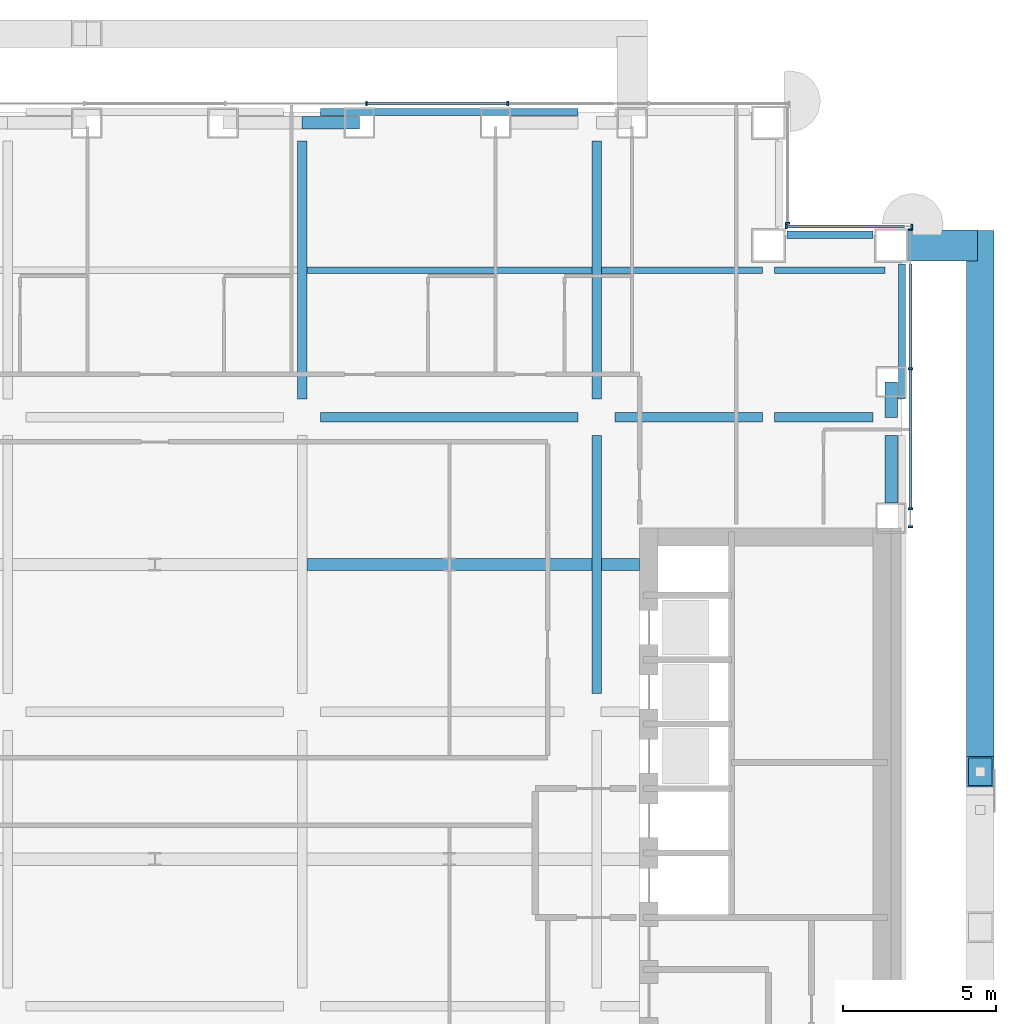
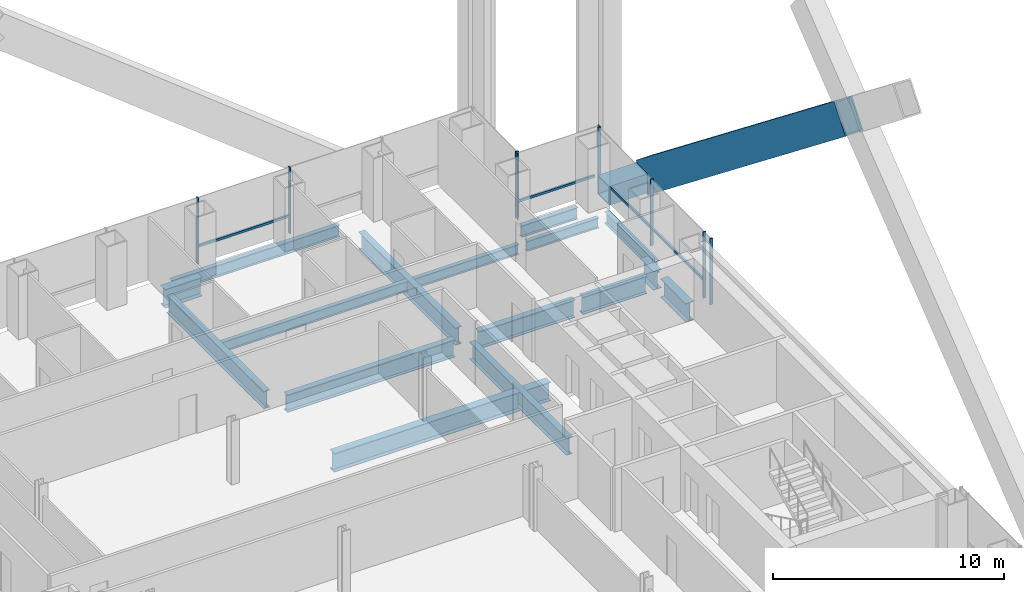
# One storey, part 11 of 28: 18 beams, 14 members, 4 elements without a shape of their own.
"""IFC4 building model written with IfcOpenShell, lengths in metres."""

from ifc_helpers import new_model, si_unit, direction, frame, origin, origin_2d, place, context, subcontext, project, spatial, rectangle, hollow_rectangle, i_section, extrude, material, material_profile, profile_set, type_object, element, aggregate, save


model = new_model("IFC4")

# Units and contexts
model_context = context("Model", 3, precision=1e-05, world=origin(), true_north=direction((0.0, 1.0)))
body_context = subcontext(model_context, "Body", "Model", "MODEL_VIEW")
ifc_project = project(units=[si_unit("LENGTHUNIT", "METRE"), si_unit("AREAUNIT", "SQUARE_METRE"), si_unit("VOLUMEUNIT", "CUBIC_METRE"), si_unit("PLANEANGLEUNIT", "RADIAN"), si_unit("MASSUNIT", "GRAM", prefix="KILO")], contexts=[model_context])

# Site, building, storey
site_placement = place(None, origin())
site = spatial("IfcSite", under=ifc_project, at=site_placement, CompositionType="ELEMENT")
building_placement = place(site_placement, origin())
building = spatial("IfcBuilding", under=site, at=building_placement, Name="Cobrizo Arcos Hotel Tower", CompositionType="ELEMENT")
storey_placement = place(building_placement, frame((0.0, 0.0, 39.0)))
storey = spatial("IfcBuildingStorey", under=building, at=storey_placement, Name="L07", CompositionType="ELEMENT", Elevation=39.0)

# Beam
ifc_material_1 = material(Name="Steel ASTM A572 Grade 50", Category="steel")
ifc_material_profile_1 = material_profile(ifc_material_1, hollow_rectangle(XDim=1.0, YDim=1.0, WallThickness=0.06005859375, at=origin_2d()), Name="BOX 1000X1000X60")
ifc_profile_set_1 = profile_set([ifc_material_profile_1], Name="Steel ASTM A572 Grade 50")
beam_type_1 = type_object("IfcBeamType", Name="BOX 1000X1000X60 brace connector strut", PredefinedType="BEAM", material=ifc_profile_set_1)
beam_1_placement = place(storey_placement, frame((24.5400390625, 20.0, 0.5), z_axis=(1.0, 0.0, 0.0), x_axis=(0.0, 1.0, 0.0)))
element("IfcBeam", 1, at=beam_1_placement, inside=storey, type_object=beam_type_1, Name="Perimeter brace stub BS1, zone Z1, east face, offset +20.00 m, L07", PredefinedType="BEAM", context=body_context, shape_type="SweptSolid", body=[
    extrude(hollow_rectangle(XDim=1.0, YDim=1.0, WallThickness=0.06005859375, at=origin_2d()), origin(), (0.0, 0.0, 1.0), 2.280029296875),
])

# Member
ifc_material_profile_2 = material_profile(ifc_material_1, hollow_rectangle(XDim=0.89990234375, YDim=1.60009765625, WallThickness=0.070068359375, at=origin_2d()), Name="BOX 900X1600X70")
ifc_profile_set_2 = profile_set([ifc_material_profile_2], Name="Steel ASTM A572 Grade 50")
member_type_1 = type_object("IfcMemberType", Name="BOX 900X1600X70 perimeter brace", PredefinedType="BRACE", material=ifc_profile_set_2)
member_1_placement = place(storey_placement, frame((26.89990234375, 20.0, 0.5), z_axis=(0.0, -0.785633461499, 0.618692220876), x_axis=(1.0, 0.0, 0.0)))
element("IfcMember", 2, at=member_1_placement, inside=storey, type_object=member_type_1, Name="Perimeter brace PBR1, zone Z1, east face, no. 01", PredefinedType="BRACE", context=body_context, shape_type="SweptSolid", body=[
    extrude(hollow_rectangle(XDim=0.89990234375, YDim=1.60009765625, WallThickness=0.070068359375, at=origin_2d()), origin(), (0.0, 0.0, 1.0), 21.835693359375),
])

# Curtain wall, members
ifc_material_2 = material(Name="Aluminium 6063-T6 anodised bronze", Category="aluminium")
curtain_wall_type = type_object("IfcCurtainWallType", Name="CW-A guest facade", PredefinedType="NOTDEFINED", material=ifc_material_2)
curtain_wall_1_placement = place(storey_placement, origin())
curtain_wall_1 = element("IfcCurtainWall", 3, at=curtain_wall_1_placement, inside=storey, type_object=curtain_wall_type, Name="CW-A L07 E face", PredefinedType="NOTDEFINED")
ifc_material_profile_3 = material_profile(ifc_material_2, rectangle(XDim=0.14990234375, YDim=0.06005859375, at=origin_2d()), Name="CW-A mullion 150x60")
ifc_profile_set_3 = profile_set([ifc_material_profile_3], Name="Aluminium 6063-T6 anodised bronze")
member_type_2 = type_object("IfcMemberType", Name="CW-A mullion 150x60", PredefinedType="MULLION", material=ifc_profile_set_3)
member_2_placement = place(storey_placement, frame((24.625, 10.830078125, 0.0), z_axis=(0.0, 0.0, 1.0), x_axis=(1.0, 0.0, 0.0)))
member_2 = element("IfcMember", 4, at=member_2_placement, type_object=member_type_2, Name="CW-A mullion 1", PredefinedType="MULLION", context=body_context, shape_type="SweptSolid", body=[
    extrude(rectangle(XDim=0.14990234375, YDim=0.06005859375, at=origin_2d()), origin(), (0.0, 0.0, 1.0), 3.5),
])
member_3_placement = place(storey_placement, frame((24.625, 11.416748046875, 0.0), z_axis=(0.0, 0.0, 1.0), x_axis=(1.0, 0.0, 0.0)))
member_3 = element("IfcMember", 5, at=member_3_placement, type_object=member_type_2, Name="CW-A mullion 2", PredefinedType="MULLION", context=body_context, shape_type="SweptSolid", body=[
    extrude(rectangle(XDim=0.14990234375, YDim=0.06005859375, at=origin_2d()), origin(), (0.0, 0.0, 1.0), 3.5),
])
member_4_placement = place(storey_placement, frame((24.625, 15.9833984375, 0.0), z_axis=(0.0, 0.0, 1.0), x_axis=(1.0, 0.0, 0.0)))
member_4 = element("IfcMember", 6, at=member_4_placement, type_object=member_type_2, Name="CW-A mullion 3", PredefinedType="MULLION", context=body_context, shape_type="SweptSolid", body=[
    extrude(rectangle(XDim=0.14990234375, YDim=0.06005859375, at=origin_2d()), origin(), (0.0, 0.0, 1.0), 3.5),
])
member_5_placement = place(storey_placement, frame((24.625, 20.52001953125, 0.0), z_axis=(0.0, 0.0, 1.0), x_axis=(1.0, 0.0, 0.0)))
member_5 = element("IfcMember", 7, at=member_5_placement, type_object=member_type_2, Name="CW-A mullion 4", PredefinedType="MULLION", context=body_context, shape_type="SweptSolid", body=[
    extrude(rectangle(XDim=0.14990234375, YDim=0.06005859375, at=origin_2d()), origin(), (0.0, 0.0, 1.0), 3.5),
])

curtain_wall_2_placement = place(storey_placement, origin())
curtain_wall_2 = element("IfcCurtainWall", 8, at=curtain_wall_2_placement, inside=storey, type_object=curtain_wall_type, Name="CW-A L07 N face", PredefinedType="NOTDEFINED")
member_6_placement = place(storey_placement, frame((24.669921875, 20.625, 0.0), z_axis=(0.0, 0.0, 1.0), x_axis=(0.0, 1.0, 0.0)))
member_6 = element("IfcMember", 9, at=member_6_placement, type_object=member_type_2, Name="CW-A mullion 1", PredefinedType="MULLION", context=body_context, shape_type="SweptSolid", body=[
    extrude(rectangle(XDim=0.14990234375, YDim=0.06005859375, at=origin_2d()), origin(), (0.0, 0.0, 1.0), 3.5),
])
member_7_placement = place(storey_placement, frame((20.580078125, 20.625, 0.0), z_axis=(0.0, 0.0, 1.0), x_axis=(0.0, 1.0, 0.0)))
member_7 = element("IfcMember", 10, at=member_7_placement, type_object=member_type_2, Name="CW-A mullion 2", PredefinedType="MULLION", context=body_context, shape_type="SweptSolid", body=[
    extrude(rectangle(XDim=0.14990234375, YDim=0.06005859375, at=origin_2d()), origin(), (0.0, 0.0, 1.0), 3.5),
])

# Curtain wall, member
curtain_wall_3_placement = place(storey_placement, origin())
curtain_wall_3 = element("IfcCurtainWall", 11, at=curtain_wall_3_placement, inside=storey, type_object=curtain_wall_type, Name="CW-A L07 E face", PredefinedType="NOTDEFINED")
member_8_placement = place(storey_placement, frame((20.625, 20.72998046875, 0.0), z_axis=(0.0, 0.0, 1.0), x_axis=(1.0, 0.0, 0.0)))
member_8 = element("IfcMember", 12, at=member_8_placement, type_object=member_type_2, Name="CW-A mullion 1", PredefinedType="MULLION", context=body_context, shape_type="SweptSolid", body=[
    extrude(rectangle(XDim=0.14990234375, YDim=0.06005859375, at=origin_2d()), origin(), (0.0, 0.0, 1.0), 3.5),
])
aggregate(curtain_wall_3, [member_8])

# Curtain wall, members
curtain_wall_4_placement = place(storey_placement, origin())
curtain_wall_4 = element("IfcCurtainWall", 13, at=curtain_wall_4_placement, inside=storey, type_object=curtain_wall_type, Name="CW-A L07 N face", PredefinedType="NOTDEFINED")
member_9_placement = place(storey_placement, frame((11.5, 24.625, 0.0), z_axis=(0.0, 0.0, 1.0), x_axis=(0.0, 1.0, 0.0)))
member_9 = element("IfcMember", 14, at=member_9_placement, type_object=member_type_2, Name="CW-A mullion 3", PredefinedType="MULLION", context=body_context, shape_type="SweptSolid", body=[
    extrude(rectangle(XDim=0.14990234375, YDim=0.06005859375, at=origin_2d()), origin(), (0.0, 0.0, 1.0), 3.5),
])
member_10_placement = place(storey_placement, frame((6.89990234375, 24.625, 0.0), z_axis=(0.0, 0.0, 1.0), x_axis=(0.0, 1.0, 0.0)))
member_10 = element("IfcMember", 15, at=member_10_placement, type_object=member_type_2, Name="CW-A mullion 4", PredefinedType="MULLION", context=body_context, shape_type="SweptSolid", body=[
    extrude(rectangle(XDim=0.14990234375, YDim=0.06005859375, at=origin_2d()), origin(), (0.0, 0.0, 1.0), 3.5),
])

# Member
ifc_material_profile_4 = material_profile(ifc_material_2, rectangle(XDim=0.10009765625, YDim=0.1201171875, at=origin_2d()), Name="CW-A transom 120x100")
ifc_profile_set_4 = profile_set([ifc_material_profile_4], Name="Aluminium 6063-T6 anodised bronze")
member_type_3 = type_object("IfcMemberType", Name="CW-A transom 120x100", PredefinedType="USERDEFINED", material=ifc_profile_set_4)
member_11_placement = place(storey_placement, frame((24.625, 11.44677734375, 0.929931640625), z_axis=(0.0, 1.0, 0.0), x_axis=(-1.0, 0.0, 0.0)))
member_11 = element("IfcMember", 16, at=member_11_placement, type_object=member_type_3, Name="CW-A transom 376", ObjectType="TRANSOM", PredefinedType="USERDEFINED", context=body_context, shape_type="SweptSolid", body=[
    extrude(rectangle(XDim=0.10009765625, YDim=0.1201171875, at=origin_2d()), origin(), (0.0, 0.0, 1.0), 4.506591796875),
])

member_12_placement = place(storey_placement, frame((24.625, 16.013427734375, 0.929931640625), z_axis=(0.0, 1.0, 0.0), x_axis=(-1.0, 0.0, 0.0)))
member_12 = element("IfcMember", 17, at=member_12_placement, type_object=member_type_3, Name="CW-A transom 377", ObjectType="TRANSOM", PredefinedType="USERDEFINED", context=body_context, shape_type="SweptSolid", body=[
    extrude(rectangle(XDim=0.10009765625, YDim=0.1201171875, at=origin_2d()), origin(), (0.0, 0.0, 1.0), 3.386474609375),
])

aggregate(curtain_wall_1, [member_2, member_3, member_4, member_5, member_11, member_12])

member_13_placement = place(storey_placement, frame((24.43994140625, 20.625, 0.929931640625), z_axis=(-1.0, 0.0, 0.0), x_axis=(0.0, -1.0, 0.0)))
member_13 = element("IfcMember", 18, at=member_13_placement, type_object=member_type_3, Name="CW-A transom 378", ObjectType="TRANSOM", PredefinedType="USERDEFINED", context=body_context, shape_type="SweptSolid", body=[
    extrude(rectangle(XDim=0.10009765625, YDim=0.1201171875, at=origin_2d()), origin(), (0.0, 0.0, 1.0), 3.829833984375),
])

aggregate(curtain_wall_2, [member_6, member_7, member_13])

member_14_placement = place(storey_placement, frame((11.469970703125, 24.625, 0.929931640625), z_axis=(-1.0, 0.0, 0.0), x_axis=(0.0, -1.0, 0.0)))
member_14 = element("IfcMember", 19, at=member_14_placement, type_object=member_type_3, Name="CW-A transom 382", ObjectType="TRANSOM", PredefinedType="USERDEFINED", context=body_context, shape_type="SweptSolid", body=[
    extrude(rectangle(XDim=0.10009765625, YDim=0.1201171875, at=origin_2d()), origin(), (0.0, 0.0, 1.0), 4.5400390625),
])

aggregate(curtain_wall_4, [member_9, member_10, member_14])

# Beams
ifc_material_3 = material(Name="Steel ASTM A992 Grade 50", Category="steel")
ifc_material_profile_5 = material_profile(ifc_material_3, i_section(OverallWidth=0.209228515625, OverallDepth=0.533447265625, WebThickness=0.01025390625, FlangeThickness=0.015625, at=origin_2d()), Name="W21X62")
ifc_profile_set_5 = profile_set([ifc_material_profile_5], Name="Steel ASTM A992 Grade 50")
beam_type_2 = type_object("IfcBeamType", Name="W21X62 joist", PredefinedType="JOIST", material=ifc_profile_set_5)
beam_2_placement = place(storey_placement, frame((4.95361328125, 19.199951171875, -0.416748046875), z_axis=(1.0, 0.0, 0.0), x_axis=(0.0, 1.0, 0.0)))
element("IfcBeam", 20, at=beam_2_placement, inside=storey, type_object=beam_type_2, Name="Floor joist J1, L07, no. 012", PredefinedType="JOIST", context=body_context, shape_type="SweptSolid", body=[
    extrude(i_section(OverallWidth=0.209228515625, OverallDepth=0.533447265625, WebThickness=0.01025390625, FlangeThickness=0.015625, at=origin_2d()), origin(), (0.0, 0.0, 1.0), 9.292724609375),
])
beam_3_placement = place(storey_placement, frame((14.5537109375, 19.199951171875, -0.416748046875), z_axis=(1.0, 0.0, 0.0), x_axis=(0.0, 1.0, 0.0)))
element("IfcBeam", 21, at=beam_3_placement, inside=storey, type_object=beam_type_2, Name="Floor joist J1, L07, no. 013", PredefinedType="JOIST", context=body_context, shape_type="SweptSolid", body=[
    extrude(i_section(OverallWidth=0.209228515625, OverallDepth=0.533447265625, WebThickness=0.01025390625, FlangeThickness=0.015625, at=origin_2d()), origin(), (0.0, 0.0, 1.0), 5.245849609375),
])
beam_4_placement = place(storey_placement, frame((20.200439453125, 19.199951171875, -0.416748046875), z_axis=(1.0, 0.0, 0.0), x_axis=(0.0, 1.0, 0.0)))
element("IfcBeam", 22, at=beam_4_placement, inside=storey, type_object=beam_type_2, Name="Floor joist J1, L07, no. 014", PredefinedType="JOIST", context=body_context, shape_type="SweptSolid", body=[
    extrude(i_section(OverallWidth=0.209228515625, OverallDepth=0.533447265625, WebThickness=0.01025390625, FlangeThickness=0.015625, at=origin_2d()), origin(), (0.0, 0.0, 1.0), 3.59912109375),
])
ifc_material_profile_6 = material_profile(ifc_material_3, i_section(OverallWidth=0.23046875, OverallDepth=0.6171875, WebThickness=0.01318359375, FlangeThickness=0.022216796875, at=origin_2d()), Name="W24X94")
ifc_profile_set_6 = profile_set([ifc_material_profile_6], Name="Steel ASTM A992 Grade 50")
beam_type_3 = type_object("IfcBeamType", Name="W24X94 spandrel", PredefinedType="SPANDREL", material=ifc_profile_set_6)
beam_5_placement = place(storey_placement, frame((5.39990234375, 24.35009765625, -0.45849609375), z_axis=(1.0, 0.0, 0.0), x_axis=(0.0, 1.0, 0.0)))
element("IfcBeam", 23, at=beam_5_placement, inside=storey, type_object=beam_type_3, Name="Spandrel beam W24X94, L07, no. 009", PredefinedType="SPANDREL", context=body_context, shape_type="SweptSolid", body=[
    extrude(i_section(OverallWidth=0.23046875, OverallDepth=0.6171875, WebThickness=0.01318359375, FlangeThickness=0.022216796875, at=origin_2d()), origin(), (0.0, 0.0, 1.0), 8.400146484375),
])
beam_6_placement = place(storey_placement, frame((20.60009765625, 20.35009765625, -0.45849609375), z_axis=(1.0, 0.0, 0.0), x_axis=(0.0, 1.0, 0.0)))
element("IfcBeam", 24, at=beam_6_placement, inside=storey, type_object=beam_type_3, Name="Spandrel beam W24X94, L07, no. 012", PredefinedType="SPANDREL", context=body_context, shape_type="SweptSolid", body=[
    extrude(i_section(OverallWidth=0.23046875, OverallDepth=0.6171875, WebThickness=0.01318359375, FlangeThickness=0.022216796875, at=origin_2d()), origin(), (0.0, 0.0, 1.0), 2.7998046875),
])
beam_7_placement = place(storey_placement, frame((24.35009765625, 19.39990234375, -0.45849609375), z_axis=(0.0, -1.0, 0.0), x_axis=(1.0, 0.0, 0.0)))
element("IfcBeam", 25, at=beam_7_placement, inside=storey, type_object=beam_type_3, Name="Spandrel beam W24X94, L07, no. 013", PredefinedType="SPANDREL", context=body_context, shape_type="SweptSolid", body=[
    extrude(i_section(OverallWidth=0.23046875, OverallDepth=0.6171875, WebThickness=0.01318359375, FlangeThickness=0.022216796875, at=origin_2d()), origin(), (0.0, 0.0, 1.0), 4.39990234375),
])
ifc_material_profile_7 = material_profile(ifc_material_3, i_section(OverallWidth=0.307373046875, OverallDepth=0.927001953125, WebThickness=0.01953125, FlangeThickness=0.031982421875, at=origin_2d()), Name="W36X194")
ifc_profile_set_7 = profile_set([ifc_material_profile_7], Name="Steel ASTM A992 Grade 50")
beam_type_4 = type_object("IfcBeamType", Name="W36X194 podium girder", PredefinedType="BEAM", material=ifc_profile_set_7)
beam_8_placement = place(storey_placement, frame((5.39990234375, 14.39990234375, -0.613525390625), z_axis=(1.0, 0.0, 0.0), x_axis=(0.0, 1.0, 0.0)))
element("IfcBeam", 26, at=beam_8_placement, inside=storey, type_object=beam_type_4, Name="Podium girder PG1, L07, no. 020", PredefinedType="BEAM", context=body_context, shape_type="SweptSolid", body=[
    extrude(i_section(OverallWidth=0.307373046875, OverallDepth=0.927001953125, WebThickness=0.01953125, FlangeThickness=0.031982421875, at=origin_2d()), origin(), (0.0, 0.0, 1.0), 8.400146484375),
])
beam_9_placement = place(storey_placement, frame((15.0, 14.39990234375, -0.613525390625), z_axis=(1.0, 0.0, 0.0), x_axis=(0.0, 1.0, 0.0)))
element("IfcBeam", 27, at=beam_9_placement, inside=storey, type_object=beam_type_4, Name="Podium girder PG1, L07, no. 021", PredefinedType="BEAM", context=body_context, shape_type="SweptSolid", body=[
    extrude(i_section(OverallWidth=0.307373046875, OverallDepth=0.927001953125, WebThickness=0.01953125, FlangeThickness=0.031982421875, at=origin_2d()), origin(), (0.0, 0.0, 1.0), 4.799560546875),
])
beam_10_placement = place(storey_placement, frame((20.200439453125, 14.39990234375, -0.613525390625), z_axis=(1.0, 0.0, 0.0), x_axis=(0.0, 1.0, 0.0)))
element("IfcBeam", 28, at=beam_10_placement, inside=storey, type_object=beam_type_4, Name="Podium girder PG1, L07, no. 022", PredefinedType="BEAM", context=body_context, shape_type="SweptSolid", body=[
    extrude(i_section(OverallWidth=0.307373046875, OverallDepth=0.927001953125, WebThickness=0.01953125, FlangeThickness=0.031982421875, at=origin_2d()), origin(), (0.0, 0.0, 1.0), 3.199462890625),
])
beam_11_placement = place(storey_placement, frame((4.800048828125, 15.0, -0.613525390625), z_axis=(0.0, 1.0, 0.0), x_axis=(-1.0, 0.0, 0.0)))
element("IfcBeam", 29, at=beam_11_placement, inside=storey, type_object=beam_type_4, Name="Podium girder PG1, L07, no. 037", PredefinedType="BEAM", context=body_context, shape_type="SweptSolid", body=[
    extrude(i_section(OverallWidth=0.307373046875, OverallDepth=0.927001953125, WebThickness=0.01953125, FlangeThickness=0.031982421875, at=origin_2d()), origin(), (0.0, 0.0, 1.0), 8.39990234375),
])
beam_12_placement = place(storey_placement, frame((14.39990234375, 5.39990234375, -0.613525390625), z_axis=(0.0, 1.0, 0.0), x_axis=(-1.0, 0.0, 0.0)))
element("IfcBeam", 30, at=beam_12_placement, inside=storey, type_object=beam_type_4, Name="Podium girder PG1, L07, no. 041", PredefinedType="BEAM", context=body_context, shape_type="SweptSolid", body=[
    extrude(i_section(OverallWidth=0.307373046875, OverallDepth=0.927001953125, WebThickness=0.01953125, FlangeThickness=0.031982421875, at=origin_2d()), origin(), (0.0, 0.0, 1.0), 8.400146484375),
])
beam_13_placement = place(storey_placement, frame((14.39990234375, 15.0, -0.613525390625), z_axis=(0.0, 1.0, 0.0), x_axis=(-1.0, 0.0, 0.0)))
element("IfcBeam", 31, at=beam_13_placement, inside=storey, type_object=beam_type_4, Name="Podium girder PG1, L07, no. 042", PredefinedType="BEAM", context=body_context, shape_type="SweptSolid", body=[
    extrude(i_section(OverallWidth=0.307373046875, OverallDepth=0.927001953125, WebThickness=0.01953125, FlangeThickness=0.031982421875, at=origin_2d()), origin(), (0.0, 0.0, 1.0), 8.39990234375),
])
ifc_material_profile_8 = material_profile(ifc_material_3, i_section(OverallWidth=0.4013671875, OverallDepth=0.990478515625, WebThickness=0.0166015625, FlangeThickness=0.025390625, at=origin_2d()), Name="W40X215")
ifc_profile_set_8 = profile_set([ifc_material_profile_8], Name="Steel ASTM A992 Grade 50")
beam_type_5 = type_object("IfcBeamType", Name="W40X215 transfer girder", PredefinedType="BEAM", material=ifc_profile_set_8)
beam_14_placement = place(storey_placement, frame((4.95361328125, 9.60009765625, -0.645263671875), z_axis=(1.0, 0.0, 0.0), x_axis=(0.0, 1.0, 0.0)))
element("IfcBeam", 32, at=beam_14_placement, inside=storey, type_object=beam_type_5, Name="Transfer girder TG1, L07, no. 014", PredefinedType="BEAM", context=body_context, shape_type="SweptSolid", body=[
    extrude(i_section(OverallWidth=0.4013671875, OverallDepth=0.990478515625, WebThickness=0.0166015625, FlangeThickness=0.025390625, at=origin_2d()), origin(), (0.0, 0.0, 1.0), 9.292724609375),
])
beam_15_placement = place(storey_placement, frame((14.5537109375, 9.60009765625, -0.645263671875), z_axis=(1.0, 0.0, 0.0), x_axis=(0.0, 1.0, 0.0)))
element("IfcBeam", 33, at=beam_15_placement, inside=storey, type_object=beam_type_5, Name="Transfer girder TG1, L07, no. 015", PredefinedType="BEAM", context=body_context, shape_type="SweptSolid", body=[
    extrude(i_section(OverallWidth=0.4013671875, OverallDepth=0.990478515625, WebThickness=0.0166015625, FlangeThickness=0.025390625, at=origin_2d()), origin(), (0.0, 0.0, 1.0), 1.236328125),
])
beam_16_placement = place(storey_placement, frame((4.800048828125, 24.0, -0.645263671875), z_axis=(1.0, 0.0, 0.0), x_axis=(0.0, 1.0, 0.0)))
element("IfcBeam", 34, at=beam_16_placement, inside=storey, type_object=beam_type_5, Name="Setback transfer girder TG1, L07, no. 011", PredefinedType="BEAM", context=body_context, shape_type="SweptSolid", body=[
    extrude(i_section(OverallWidth=0.4013671875, OverallDepth=0.990478515625, WebThickness=0.0166015625, FlangeThickness=0.025390625, at=origin_2d()), origin(), (0.0, 0.0, 1.0), 1.866943359375),
])
beam_17_placement = place(storey_placement, frame((24.0, 13.800048828125, -0.645263671875), z_axis=(0.0, -1.0, 0.0), x_axis=(1.0, 0.0, 0.0)))
element("IfcBeam", 35, at=beam_17_placement, inside=storey, type_object=beam_type_5, Name="Setback transfer girder TG1, L07, no. 021", PredefinedType="BEAM", context=body_context, shape_type="SweptSolid", body=[
    extrude(i_section(OverallWidth=0.4013671875, OverallDepth=0.990478515625, WebThickness=0.0166015625, FlangeThickness=0.025390625, at=origin_2d()), origin(), (0.0, 0.0, 1.0), 2.18896484375),
])
beam_18_placement = place(storey_placement, frame((24.0, 14.39990234375, -0.645263671875), z_axis=(0.0, 1.0, 0.0), x_axis=(-1.0, 0.0, 0.0)))
element("IfcBeam", 36, at=beam_18_placement, inside=storey, type_object=beam_type_5, Name="Setback transfer girder TG1, L07, no. 023", PredefinedType="BEAM", context=body_context, shape_type="SweptSolid", body=[
    extrude(i_section(OverallWidth=0.4013671875, OverallDepth=0.990478515625, WebThickness=0.0166015625, FlangeThickness=0.025390625, at=origin_2d()), origin(), (0.0, 0.0, 1.0), 1.156005859375),
])

save(model, "model.ifc")
